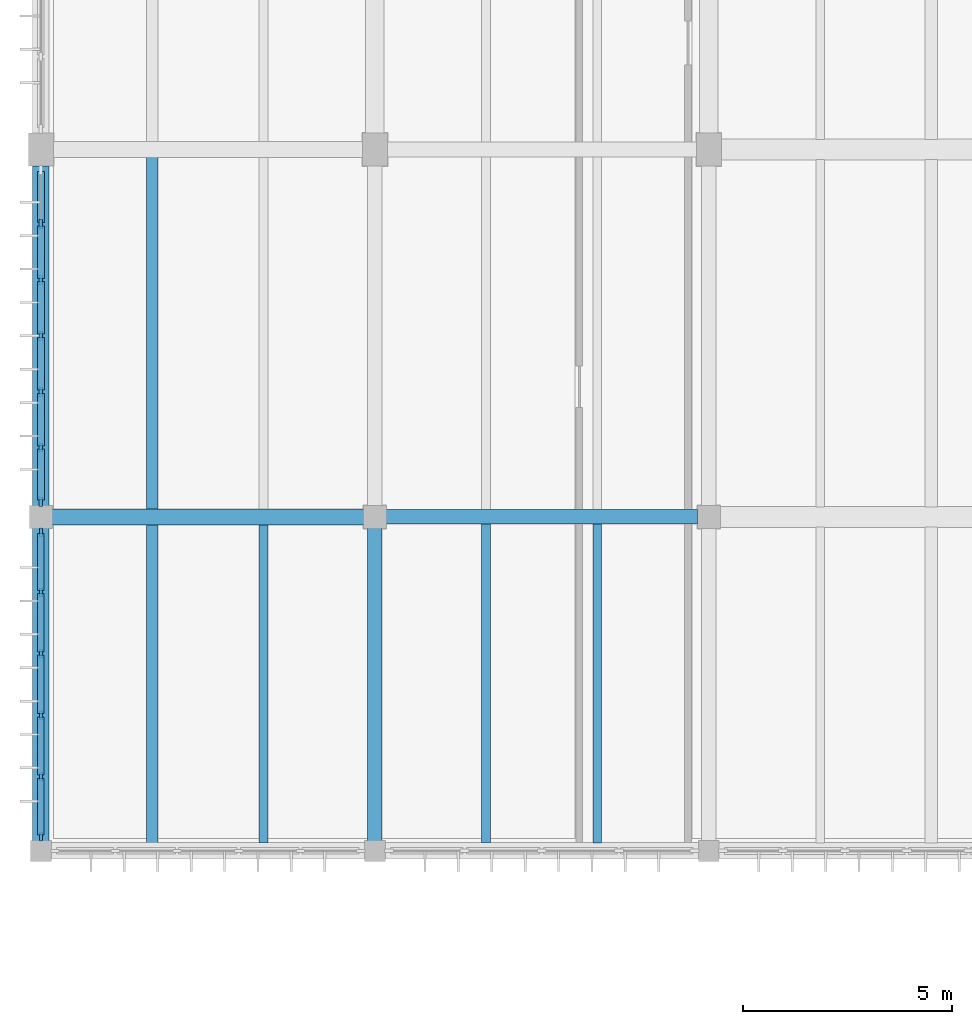
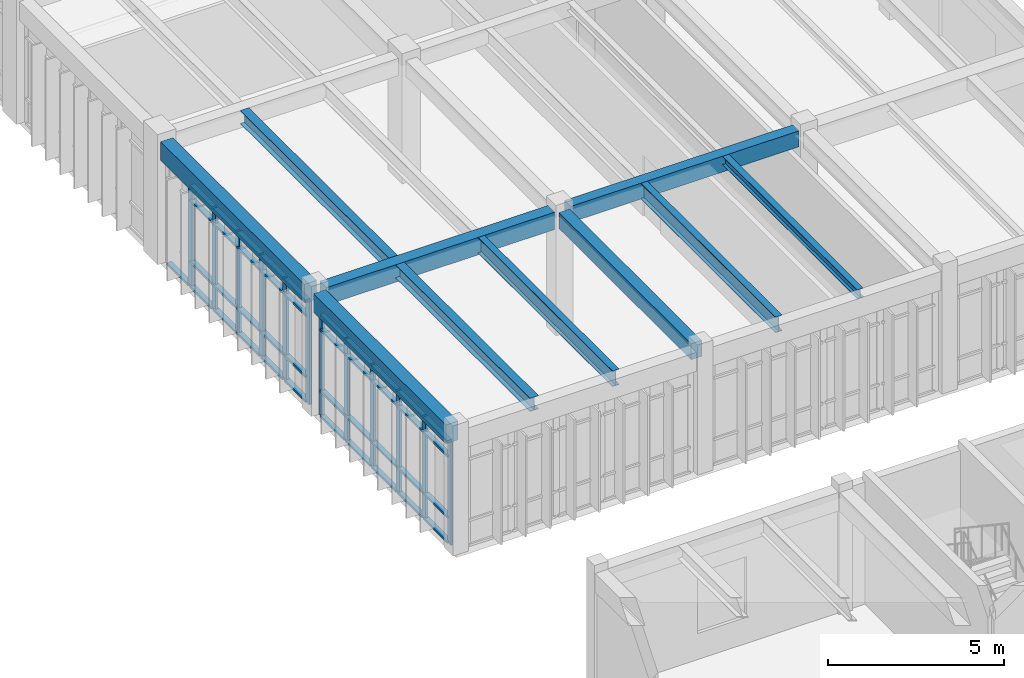
# One storey, part 7 of 79: 53 members, 10 beams, 2 elements without a shape of their own.
"""IFC4 building model written with IfcOpenShell, lengths in metres."""

from ifc_helpers import new_model, si_unit, direction, frame, origin, origin_2d, place, context, subcontext, project, spatial, rectangle, i_section, extrude, material, material_profile, profile_set, type_object, element, aggregate, save


model = new_model("IFC4")

# Units and contexts
model_context = context("Model", 3, precision=1e-05, world=origin(), true_north=direction((0.0, 1.0)))
body_context = subcontext(model_context, "Body", "Model", "MODEL_VIEW")
ifc_project = project(units=[si_unit("LENGTHUNIT", "METRE"), si_unit("AREAUNIT", "SQUARE_METRE"), si_unit("VOLUMEUNIT", "CUBIC_METRE"), si_unit("PLANEANGLEUNIT", "RADIAN"), si_unit("MASSUNIT", "GRAM", prefix="KILO")], contexts=[model_context])

# Site, building, storey
site_placement = place(None, origin())
site = spatial("IfcSite", under=ifc_project, at=site_placement, CompositionType="ELEMENT")
building_placement = place(site_placement, origin())
building = spatial("IfcBuilding", under=site, at=building_placement, Name="Tlaxcora Railside Police Headquarters", CompositionType="ELEMENT")
storey_placement = place(building_placement, frame((0.0, 0.0, 9.0)))
storey = spatial("IfcBuildingStorey", under=building, at=storey_placement, Name="L02", CompositionType="ELEMENT", Elevation=9.0)

# Curtain wall, members
ifc_material_1 = material(Name="Thermally broken low-E insulated glazing", Category="glass")
curtain_wall_type_1 = type_object("IfcCurtainWallType", Name="Unitised Curtain Wall Assembly CW-23", PredefinedType="NOTDEFINED", material=ifc_material_1)
curtain_wall_1_placement = place(storey_placement, origin())
curtain_wall_1 = element("IfcCurtainWall", 1, at=curtain_wall_1_placement, inside=storey, type_object=curtain_wall_type_1, Name="V5 L02 curtain wall 68", PredefinedType="NOTDEFINED")
ifc_material_2 = material(Name="Anodised aluminium framing", Category="aluminium")
ifc_material_profile_1 = material_profile(ifc_material_2, rectangle(XDim=0.080078125, YDim=0.219970703125, at=origin_2d()), Name="AL80X220")
ifc_profile_set_1 = profile_set([ifc_material_profile_1], Name="Anodised aluminium framing")
member_type_1 = type_object("IfcMemberType", Name="Curtain Wall Mullion CW-31", PredefinedType="MULLION", material=ifc_profile_set_1)
member_1_placement = place(storey_placement, frame((5.199951171875, 59.012451171875, 0.0), z_axis=(0.0, 0.0, 1.0), x_axis=(1.0, 0.0, 0.0)))
member_1 = element("IfcMember", 2, at=member_1_placement, type_object=member_type_1, Name="CW mullion 2", PredefinedType="MULLION", context=body_context, shape_type="SweptSolid", body=[
    extrude(rectangle(XDim=0.080078125, YDim=0.219970703125, at=origin_2d()), origin(), (0.0, 0.0, 1.0), 3.550048828125),
])
member_2_placement = place(storey_placement, frame((5.199951171875, 57.675048828125, 0.0), z_axis=(0.0, 0.0, 1.0), x_axis=(1.0, 0.0, 0.0)))
member_2 = element("IfcMember", 3, at=member_2_placement, type_object=member_type_1, Name="CW mullion 3", PredefinedType="MULLION", context=body_context, shape_type="SweptSolid", body=[
    extrude(rectangle(XDim=0.080078125, YDim=0.219970703125, at=origin_2d()), origin(), (0.0, 0.0, 1.0), 3.550048828125),
])
member_3_placement = place(storey_placement, frame((5.199951171875, 56.33740234375, 0.0), z_axis=(0.0, 0.0, 1.0), x_axis=(1.0, 0.0, 0.0)))
member_3 = element("IfcMember", 4, at=member_3_placement, type_object=member_type_1, Name="CW mullion 4", PredefinedType="MULLION", context=body_context, shape_type="SweptSolid", body=[
    extrude(rectangle(XDim=0.080078125, YDim=0.219970703125, at=origin_2d()), origin(), (0.0, 0.0, 1.0), 3.550048828125),
])
member_4_placement = place(storey_placement, frame((5.199951171875, 55.0, 0.0), z_axis=(0.0, 0.0, 1.0), x_axis=(1.0, 0.0, 0.0)))
member_4 = element("IfcMember", 5, at=member_4_placement, type_object=member_type_1, Name="CW mullion 5", PredefinedType="MULLION", context=body_context, shape_type="SweptSolid", body=[
    extrude(rectangle(XDim=0.080078125, YDim=0.219970703125, at=origin_2d()), origin(), (0.0, 0.0, 1.0), 3.550048828125),
])
member_5_placement = place(storey_placement, frame((5.199951171875, 53.66259765625, 0.0), z_axis=(0.0, 0.0, 1.0), x_axis=(1.0, 0.0, 0.0)))
member_5 = element("IfcMember", 6, at=member_5_placement, type_object=member_type_1, Name="CW mullion 6", PredefinedType="MULLION", context=body_context, shape_type="SweptSolid", body=[
    extrude(rectangle(XDim=0.080078125, YDim=0.219970703125, at=origin_2d()), origin(), (0.0, 0.0, 1.0), 3.550048828125),
])
member_6_placement = place(storey_placement, frame((5.199951171875, 52.364990234375, 0.0), z_axis=(0.0, 0.0, 1.0), x_axis=(1.0, 0.0, 0.0)))
member_6 = element("IfcMember", 7, at=member_6_placement, type_object=member_type_1, Name="CW mullion 7", PredefinedType="MULLION", context=body_context, shape_type="SweptSolid", body=[
    extrude(rectangle(XDim=0.080078125, YDim=0.219970703125, at=origin_2d()), origin(), (0.0, 0.0, 1.0), 3.550048828125),
])

curtain_wall_type_2 = type_object("IfcCurtainWallType", Name="Unitised Curtain Wall Assembly CW-38", PredefinedType="NOTDEFINED", material=ifc_material_1)
curtain_wall_2_placement = place(storey_placement, origin())
curtain_wall_2 = element("IfcCurtainWall", 8, at=curtain_wall_2_placement, inside=storey, type_object=curtain_wall_type_2, Name="V5 L02 curtain wall 69", PredefinedType="NOTDEFINED")
ifc_material_profile_2 = material_profile(ifc_material_2, rectangle(XDim=0.074951171875, YDim=0.205078125, at=origin_2d()), Name="AL75X205")
ifc_profile_set_2 = profile_set([ifc_material_profile_2], Name="Anodised aluminium framing")
member_type_2 = type_object("IfcMemberType", Name="Curtain Wall Mullion CW-32", PredefinedType="MULLION", material=ifc_profile_set_2)
member_7_placement = place(storey_placement, frame((5.199951171875, 51.637451171875, 0.0), z_axis=(0.0, 0.0, 1.0), x_axis=(1.0, 0.0, 0.0)))
member_7 = element("IfcMember", 9, at=member_7_placement, type_object=member_type_2, Name="CW mullion 1", PredefinedType="MULLION", context=body_context, shape_type="SweptSolid", body=[
    extrude(rectangle(XDim=0.074951171875, YDim=0.205078125, at=origin_2d()), origin(), (0.0, 0.0, 1.0), 3.550048828125),
])
member_8_placement = place(storey_placement, frame((5.199951171875, 50.199951171875, 0.0), z_axis=(0.0, 0.0, 1.0), x_axis=(1.0, 0.0, 0.0)))
member_8 = element("IfcMember", 10, at=member_8_placement, type_object=member_type_2, Name="CW mullion 2", PredefinedType="MULLION", context=body_context, shape_type="SweptSolid", body=[
    extrude(rectangle(XDim=0.074951171875, YDim=0.205078125, at=origin_2d()), origin(), (0.0, 0.0, 1.0), 3.550048828125),
])
member_9_placement = place(storey_placement, frame((5.199951171875, 48.72509765625, 0.0), z_axis=(0.0, 0.0, 1.0), x_axis=(1.0, 0.0, 0.0)))
member_9 = element("IfcMember", 11, at=member_9_placement, type_object=member_type_2, Name="CW mullion 3", PredefinedType="MULLION", context=body_context, shape_type="SweptSolid", body=[
    extrude(rectangle(XDim=0.074951171875, YDim=0.205078125, at=origin_2d()), origin(), (0.0, 0.0, 1.0), 3.550048828125),
])
member_10_placement = place(storey_placement, frame((5.199951171875, 47.25, 0.0), z_axis=(0.0, 0.0, 1.0), x_axis=(1.0, 0.0, 0.0)))
member_10 = element("IfcMember", 12, at=member_10_placement, type_object=member_type_2, Name="CW mullion 4", PredefinedType="MULLION", context=body_context, shape_type="SweptSolid", body=[
    extrude(rectangle(XDim=0.074951171875, YDim=0.205078125, at=origin_2d()), origin(), (0.0, 0.0, 1.0), 3.550048828125),
])
member_11_placement = place(storey_placement, frame((5.199951171875, 45.77490234375, 0.0), z_axis=(0.0, 0.0, 1.0), x_axis=(1.0, 0.0, 0.0)))
member_11 = element("IfcMember", 13, at=member_11_placement, type_object=member_type_2, Name="CW mullion 5", PredefinedType="MULLION", context=body_context, shape_type="SweptSolid", body=[
    extrude(rectangle(XDim=0.074951171875, YDim=0.205078125, at=origin_2d()), origin(), (0.0, 0.0, 1.0), 3.550048828125),
])
member_12_placement = place(storey_placement, frame((5.199951171875, 44.33740234375, 0.0), z_axis=(0.0, 0.0, 1.0), x_axis=(1.0, 0.0, 0.0)))
member_12 = element("IfcMember", 14, at=member_12_placement, type_object=member_type_2, Name="CW mullion 6", PredefinedType="MULLION", context=body_context, shape_type="SweptSolid", body=[
    extrude(rectangle(XDim=0.074951171875, YDim=0.205078125, at=origin_2d()), origin(), (0.0, 0.0, 1.0), 3.550048828125),
])
ifc_material_profile_3 = material_profile(ifc_material_2, rectangle(XDim=0.155029296875, YDim=0.074951171875, at=origin_2d()), Name="AL75X155")
ifc_profile_set_3 = profile_set([ifc_material_profile_3], Name="Anodised aluminium framing")
member_type_3 = type_object("IfcMemberType", Name="Curtain Wall Transom CW-30", PredefinedType="USERDEFINED", material=ifc_profile_set_3)
member_13_placement = place(storey_placement, frame((5.199951171875, 51.60009765625, 0.03759765625), z_axis=(0.0, -1.0, 0.0), x_axis=(1.0, 0.0, 0.0)))
member_13 = element("IfcMember", 15, at=member_13_placement, type_object=member_type_3, Name="CW transom 1.1", ObjectType="TRANSOM", PredefinedType="USERDEFINED", context=body_context, shape_type="SweptSolid", body=[
    extrude(rectangle(XDim=0.155029296875, YDim=0.074951171875, at=origin_2d()), origin(), (0.0, 0.0, 1.0), 1.362548828125),
])
member_14_placement = place(storey_placement, frame((5.199951171875, 51.60009765625, 0.89990234375), z_axis=(0.0, -1.0, 0.0), x_axis=(1.0, 0.0, 0.0)))
member_14 = element("IfcMember", 16, at=member_14_placement, type_object=member_type_3, Name="CW transom 1.2", ObjectType="TRANSOM", PredefinedType="USERDEFINED", context=body_context, shape_type="SweptSolid", body=[
    extrude(rectangle(XDim=0.155029296875, YDim=0.074951171875, at=origin_2d()), origin(), (0.0, 0.0, 1.0), 1.362548828125),
])
member_15_placement = place(storey_placement, frame((5.199951171875, 51.60009765625, 3.02001953125), z_axis=(0.0, -1.0, 0.0), x_axis=(1.0, 0.0, 0.0)))
member_15 = element("IfcMember", 17, at=member_15_placement, type_object=member_type_3, Name="CW transom 1.3", ObjectType="TRANSOM", PredefinedType="USERDEFINED", context=body_context, shape_type="SweptSolid", body=[
    extrude(rectangle(XDim=0.155029296875, YDim=0.074951171875, at=origin_2d()), origin(), (0.0, 0.0, 1.0), 1.362548828125),
])
member_16_placement = place(storey_placement, frame((5.199951171875, 51.60009765625, 3.512451171875), z_axis=(0.0, -1.0, 0.0), x_axis=(1.0, 0.0, 0.0)))
member_16 = element("IfcMember", 18, at=member_16_placement, type_object=member_type_3, Name="CW transom 1.4", ObjectType="TRANSOM", PredefinedType="USERDEFINED", context=body_context, shape_type="SweptSolid", body=[
    extrude(rectangle(XDim=0.155029296875, YDim=0.074951171875, at=origin_2d()), origin(), (0.0, 0.0, 1.0), 1.362548828125),
])
member_17_placement = place(storey_placement, frame((5.199951171875, 50.16259765625, 0.03759765625), z_axis=(0.0, -1.0, 0.0), x_axis=(1.0, 0.0, 0.0)))
member_17 = element("IfcMember", 19, at=member_17_placement, type_object=member_type_3, Name="CW transom 2.1", ObjectType="TRANSOM", PredefinedType="USERDEFINED", context=body_context, shape_type="SweptSolid", body=[
    extrude(rectangle(XDim=0.155029296875, YDim=0.074951171875, at=origin_2d()), origin(), (0.0, 0.0, 1.0), 1.400146484375),
])
member_18_placement = place(storey_placement, frame((5.199951171875, 50.16259765625, 0.89990234375), z_axis=(0.0, -1.0, 0.0), x_axis=(1.0, 0.0, 0.0)))
member_18 = element("IfcMember", 20, at=member_18_placement, type_object=member_type_3, Name="CW transom 2.2", ObjectType="TRANSOM", PredefinedType="USERDEFINED", context=body_context, shape_type="SweptSolid", body=[
    extrude(rectangle(XDim=0.155029296875, YDim=0.074951171875, at=origin_2d()), origin(), (0.0, 0.0, 1.0), 1.400146484375),
])
member_19_placement = place(storey_placement, frame((5.199951171875, 50.16259765625, 3.02001953125), z_axis=(0.0, -1.0, 0.0), x_axis=(1.0, 0.0, 0.0)))
member_19 = element("IfcMember", 21, at=member_19_placement, type_object=member_type_3, Name="CW transom 2.3", ObjectType="TRANSOM", PredefinedType="USERDEFINED", context=body_context, shape_type="SweptSolid", body=[
    extrude(rectangle(XDim=0.155029296875, YDim=0.074951171875, at=origin_2d()), origin(), (0.0, 0.0, 1.0), 1.400146484375),
])
member_20_placement = place(storey_placement, frame((5.199951171875, 50.16259765625, 3.512451171875), z_axis=(0.0, -1.0, 0.0), x_axis=(1.0, 0.0, 0.0)))
member_20 = element("IfcMember", 22, at=member_20_placement, type_object=member_type_3, Name="CW transom 2.4", ObjectType="TRANSOM", PredefinedType="USERDEFINED", context=body_context, shape_type="SweptSolid", body=[
    extrude(rectangle(XDim=0.155029296875, YDim=0.074951171875, at=origin_2d()), origin(), (0.0, 0.0, 1.0), 1.400146484375),
])
member_21_placement = place(storey_placement, frame((5.199951171875, 48.6875, 0.03759765625), z_axis=(0.0, -1.0, 0.0), x_axis=(1.0, 0.0, 0.0)))
member_21 = element("IfcMember", 23, at=member_21_placement, type_object=member_type_3, Name="CW transom 3.1", ObjectType="TRANSOM", PredefinedType="USERDEFINED", context=body_context, shape_type="SweptSolid", body=[
    extrude(rectangle(XDim=0.155029296875, YDim=0.074951171875, at=origin_2d()), origin(), (0.0, 0.0, 1.0), 1.39990234375),
])
member_22_placement = place(storey_placement, frame((5.199951171875, 48.6875, 0.89990234375), z_axis=(0.0, -1.0, 0.0), x_axis=(1.0, 0.0, 0.0)))
member_22 = element("IfcMember", 24, at=member_22_placement, type_object=member_type_3, Name="CW transom 3.2", ObjectType="TRANSOM", PredefinedType="USERDEFINED", context=body_context, shape_type="SweptSolid", body=[
    extrude(rectangle(XDim=0.155029296875, YDim=0.074951171875, at=origin_2d()), origin(), (0.0, 0.0, 1.0), 1.39990234375),
])
member_23_placement = place(storey_placement, frame((5.199951171875, 48.6875, 3.02001953125), z_axis=(0.0, -1.0, 0.0), x_axis=(1.0, 0.0, 0.0)))
member_23 = element("IfcMember", 25, at=member_23_placement, type_object=member_type_3, Name="CW transom 3.3", ObjectType="TRANSOM", PredefinedType="USERDEFINED", context=body_context, shape_type="SweptSolid", body=[
    extrude(rectangle(XDim=0.155029296875, YDim=0.074951171875, at=origin_2d()), origin(), (0.0, 0.0, 1.0), 1.39990234375),
])
member_24_placement = place(storey_placement, frame((5.199951171875, 48.6875, 3.512451171875), z_axis=(0.0, -1.0, 0.0), x_axis=(1.0, 0.0, 0.0)))
member_24 = element("IfcMember", 26, at=member_24_placement, type_object=member_type_3, Name="CW transom 3.4", ObjectType="TRANSOM", PredefinedType="USERDEFINED", context=body_context, shape_type="SweptSolid", body=[
    extrude(rectangle(XDim=0.155029296875, YDim=0.074951171875, at=origin_2d()), origin(), (0.0, 0.0, 1.0), 1.39990234375),
])
member_25_placement = place(storey_placement, frame((5.199951171875, 47.21240234375, 0.03759765625), z_axis=(0.0, -1.0, 0.0), x_axis=(1.0, 0.0, 0.0)))
member_25 = element("IfcMember", 27, at=member_25_placement, type_object=member_type_3, Name="CW transom 4.1", ObjectType="TRANSOM", PredefinedType="USERDEFINED", context=body_context, shape_type="SweptSolid", body=[
    extrude(rectangle(XDim=0.155029296875, YDim=0.074951171875, at=origin_2d()), origin(), (0.0, 0.0, 1.0), 1.39990234375),
])
member_26_placement = place(storey_placement, frame((5.199951171875, 47.21240234375, 0.89990234375), z_axis=(0.0, -1.0, 0.0), x_axis=(1.0, 0.0, 0.0)))
member_26 = element("IfcMember", 28, at=member_26_placement, type_object=member_type_3, Name="CW transom 4.2", ObjectType="TRANSOM", PredefinedType="USERDEFINED", context=body_context, shape_type="SweptSolid", body=[
    extrude(rectangle(XDim=0.155029296875, YDim=0.074951171875, at=origin_2d()), origin(), (0.0, 0.0, 1.0), 1.39990234375),
])
member_27_placement = place(storey_placement, frame((5.199951171875, 47.21240234375, 3.02001953125), z_axis=(0.0, -1.0, 0.0), x_axis=(1.0, 0.0, 0.0)))
member_27 = element("IfcMember", 29, at=member_27_placement, type_object=member_type_3, Name="CW transom 4.3", ObjectType="TRANSOM", PredefinedType="USERDEFINED", context=body_context, shape_type="SweptSolid", body=[
    extrude(rectangle(XDim=0.155029296875, YDim=0.074951171875, at=origin_2d()), origin(), (0.0, 0.0, 1.0), 1.39990234375),
])
member_28_placement = place(storey_placement, frame((5.199951171875, 47.21240234375, 3.512451171875), z_axis=(0.0, -1.0, 0.0), x_axis=(1.0, 0.0, 0.0)))
member_28 = element("IfcMember", 30, at=member_28_placement, type_object=member_type_3, Name="CW transom 4.4", ObjectType="TRANSOM", PredefinedType="USERDEFINED", context=body_context, shape_type="SweptSolid", body=[
    extrude(rectangle(XDim=0.155029296875, YDim=0.074951171875, at=origin_2d()), origin(), (0.0, 0.0, 1.0), 1.39990234375),
])
member_29_placement = place(storey_placement, frame((5.199951171875, 45.737548828125, 0.03759765625), z_axis=(0.0, -1.0, 0.0), x_axis=(1.0, 0.0, 0.0)))
member_29 = element("IfcMember", 31, at=member_29_placement, type_object=member_type_3, Name="CW transom 5.1", ObjectType="TRANSOM", PredefinedType="USERDEFINED", context=body_context, shape_type="SweptSolid", body=[
    extrude(rectangle(XDim=0.155029296875, YDim=0.074951171875, at=origin_2d()), origin(), (0.0, 0.0, 1.0), 1.362548828125),
])
member_30_placement = place(storey_placement, frame((5.199951171875, 45.737548828125, 0.89990234375), z_axis=(0.0, -1.0, 0.0), x_axis=(1.0, 0.0, 0.0)))
member_30 = element("IfcMember", 32, at=member_30_placement, type_object=member_type_3, Name="CW transom 5.2", ObjectType="TRANSOM", PredefinedType="USERDEFINED", context=body_context, shape_type="SweptSolid", body=[
    extrude(rectangle(XDim=0.155029296875, YDim=0.074951171875, at=origin_2d()), origin(), (0.0, 0.0, 1.0), 1.362548828125),
])
member_31_placement = place(storey_placement, frame((5.199951171875, 45.737548828125, 3.02001953125), z_axis=(0.0, -1.0, 0.0), x_axis=(1.0, 0.0, 0.0)))
member_31 = element("IfcMember", 33, at=member_31_placement, type_object=member_type_3, Name="CW transom 5.3", ObjectType="TRANSOM", PredefinedType="USERDEFINED", context=body_context, shape_type="SweptSolid", body=[
    extrude(rectangle(XDim=0.155029296875, YDim=0.074951171875, at=origin_2d()), origin(), (0.0, 0.0, 1.0), 1.362548828125),
])
member_32_placement = place(storey_placement, frame((5.199951171875, 45.737548828125, 3.512451171875), z_axis=(0.0, -1.0, 0.0), x_axis=(1.0, 0.0, 0.0)))
member_32 = element("IfcMember", 34, at=member_32_placement, type_object=member_type_3, Name="CW transom 5.4", ObjectType="TRANSOM", PredefinedType="USERDEFINED", context=body_context, shape_type="SweptSolid", body=[
    extrude(rectangle(XDim=0.155029296875, YDim=0.074951171875, at=origin_2d()), origin(), (0.0, 0.0, 1.0), 1.362548828125),
])
aggregate(curtain_wall_2, [member_7, member_8, member_9, member_10, member_11, member_12, member_13, member_14, member_15, member_16, member_17, member_18, member_19, member_20, member_21, member_22, member_23, member_24, member_25, member_26, member_27, member_28, member_29, member_30, member_31, member_32])

# Member
ifc_material_profile_4 = material_profile(ifc_material_2, rectangle(XDim=0.1650390625, YDim=0.080078125, at=origin_2d()), Name="AL80X165")
ifc_profile_set_4 = profile_set([ifc_material_profile_4], Name="Anodised aluminium framing")
member_type_4 = type_object("IfcMemberType", Name="Curtain Wall Transom CW-62", PredefinedType="USERDEFINED", material=ifc_profile_set_4)
member_33_placement = place(storey_placement, frame((5.199951171875, 60.27001953125, 0.0400390625), z_axis=(0.0, -1.0, 0.0), x_axis=(1.0, 0.0, 0.0)))
member_33 = element("IfcMember", 35, at=member_33_placement, type_object=member_type_4, Name="CW transom 1.1", ObjectType="TRANSOM", PredefinedType="USERDEFINED", context=body_context, shape_type="SweptSolid", body=[
    extrude(rectangle(XDim=0.1650390625, YDim=0.080078125, at=origin_2d()), origin(), (0.0, 0.0, 1.0), 1.217529296875),
])

member_34_placement = place(storey_placement, frame((5.199951171875, 58.972412109375, 0.0400390625), z_axis=(0.0, -1.0, 0.0), x_axis=(1.0, 0.0, 0.0)))
member_34 = element("IfcMember", 36, at=member_34_placement, type_object=member_type_4, Name="CW transom 2.1", ObjectType="TRANSOM", PredefinedType="USERDEFINED", context=body_context, shape_type="SweptSolid", body=[
    extrude(rectangle(XDim=0.1650390625, YDim=0.080078125, at=origin_2d()), origin(), (0.0, 0.0, 1.0), 1.25732421875),
])

member_35_placement = place(storey_placement, frame((5.199951171875, 58.972412109375, 0.89990234375), z_axis=(0.0, -1.0, 0.0), x_axis=(1.0, 0.0, 0.0)))
member_35 = element("IfcMember", 37, at=member_35_placement, type_object=member_type_4, Name="CW transom 2.2", ObjectType="TRANSOM", PredefinedType="USERDEFINED", context=body_context, shape_type="SweptSolid", body=[
    extrude(rectangle(XDim=0.1650390625, YDim=0.080078125, at=origin_2d()), origin(), (0.0, 0.0, 1.0), 1.25732421875),
])

member_36_placement = place(storey_placement, frame((5.199951171875, 58.972412109375, 3.02001953125), z_axis=(0.0, -1.0, 0.0), x_axis=(1.0, 0.0, 0.0)))
member_36 = element("IfcMember", 38, at=member_36_placement, type_object=member_type_4, Name="CW transom 2.3", ObjectType="TRANSOM", PredefinedType="USERDEFINED", context=body_context, shape_type="SweptSolid", body=[
    extrude(rectangle(XDim=0.1650390625, YDim=0.080078125, at=origin_2d()), origin(), (0.0, 0.0, 1.0), 1.25732421875),
])

member_37_placement = place(storey_placement, frame((5.199951171875, 58.972412109375, 3.510009765625), z_axis=(0.0, -1.0, 0.0), x_axis=(1.0, 0.0, 0.0)))
member_37 = element("IfcMember", 39, at=member_37_placement, type_object=member_type_4, Name="CW transom 2.4", ObjectType="TRANSOM", PredefinedType="USERDEFINED", context=body_context, shape_type="SweptSolid", body=[
    extrude(rectangle(XDim=0.1650390625, YDim=0.080078125, at=origin_2d()), origin(), (0.0, 0.0, 1.0), 1.25732421875),
])

member_38_placement = place(storey_placement, frame((5.199951171875, 57.635009765625, 0.0400390625), z_axis=(0.0, -1.0, 0.0), x_axis=(1.0, 0.0, 0.0)))
member_38 = element("IfcMember", 40, at=member_38_placement, type_object=member_type_4, Name="CW transom 3.1", ObjectType="TRANSOM", PredefinedType="USERDEFINED", context=body_context, shape_type="SweptSolid", body=[
    extrude(rectangle(XDim=0.1650390625, YDim=0.080078125, at=origin_2d()), origin(), (0.0, 0.0, 1.0), 1.257568359375),
])

member_39_placement = place(storey_placement, frame((5.199951171875, 57.635009765625, 0.89990234375), z_axis=(0.0, -1.0, 0.0), x_axis=(1.0, 0.0, 0.0)))
member_39 = element("IfcMember", 41, at=member_39_placement, type_object=member_type_4, Name="CW transom 3.2", ObjectType="TRANSOM", PredefinedType="USERDEFINED", context=body_context, shape_type="SweptSolid", body=[
    extrude(rectangle(XDim=0.1650390625, YDim=0.080078125, at=origin_2d()), origin(), (0.0, 0.0, 1.0), 1.257568359375),
])

member_40_placement = place(storey_placement, frame((5.199951171875, 57.635009765625, 3.02001953125), z_axis=(0.0, -1.0, 0.0), x_axis=(1.0, 0.0, 0.0)))
member_40 = element("IfcMember", 42, at=member_40_placement, type_object=member_type_4, Name="CW transom 3.3", ObjectType="TRANSOM", PredefinedType="USERDEFINED", context=body_context, shape_type="SweptSolid", body=[
    extrude(rectangle(XDim=0.1650390625, YDim=0.080078125, at=origin_2d()), origin(), (0.0, 0.0, 1.0), 1.257568359375),
])

member_41_placement = place(storey_placement, frame((5.199951171875, 57.635009765625, 3.510009765625), z_axis=(0.0, -1.0, 0.0), x_axis=(1.0, 0.0, 0.0)))
member_41 = element("IfcMember", 43, at=member_41_placement, type_object=member_type_4, Name="CW transom 3.4", ObjectType="TRANSOM", PredefinedType="USERDEFINED", context=body_context, shape_type="SweptSolid", body=[
    extrude(rectangle(XDim=0.1650390625, YDim=0.080078125, at=origin_2d()), origin(), (0.0, 0.0, 1.0), 1.257568359375),
])

member_42_placement = place(storey_placement, frame((5.199951171875, 56.297607421875, 0.0400390625), z_axis=(0.0, -1.0, 0.0), x_axis=(1.0, 0.0, 0.0)))
member_42 = element("IfcMember", 44, at=member_42_placement, type_object=member_type_4, Name="CW transom 4.1", ObjectType="TRANSOM", PredefinedType="USERDEFINED", context=body_context, shape_type="SweptSolid", body=[
    extrude(rectangle(XDim=0.1650390625, YDim=0.080078125, at=origin_2d()), origin(), (0.0, 0.0, 1.0), 1.257568359375),
])

member_43_placement = place(storey_placement, frame((5.199951171875, 56.297607421875, 0.89990234375), z_axis=(0.0, -1.0, 0.0), x_axis=(1.0, 0.0, 0.0)))
member_43 = element("IfcMember", 45, at=member_43_placement, type_object=member_type_4, Name="CW transom 4.2", ObjectType="TRANSOM", PredefinedType="USERDEFINED", context=body_context, shape_type="SweptSolid", body=[
    extrude(rectangle(XDim=0.1650390625, YDim=0.080078125, at=origin_2d()), origin(), (0.0, 0.0, 1.0), 1.257568359375),
])

member_44_placement = place(storey_placement, frame((5.199951171875, 56.297607421875, 3.02001953125), z_axis=(0.0, -1.0, 0.0), x_axis=(1.0, 0.0, 0.0)))
member_44 = element("IfcMember", 46, at=member_44_placement, type_object=member_type_4, Name="CW transom 4.3", ObjectType="TRANSOM", PredefinedType="USERDEFINED", context=body_context, shape_type="SweptSolid", body=[
    extrude(rectangle(XDim=0.1650390625, YDim=0.080078125, at=origin_2d()), origin(), (0.0, 0.0, 1.0), 1.257568359375),
])

member_45_placement = place(storey_placement, frame((5.199951171875, 56.297607421875, 3.510009765625), z_axis=(0.0, -1.0, 0.0), x_axis=(1.0, 0.0, 0.0)))
member_45 = element("IfcMember", 47, at=member_45_placement, type_object=member_type_4, Name="CW transom 4.4", ObjectType="TRANSOM", PredefinedType="USERDEFINED", context=body_context, shape_type="SweptSolid", body=[
    extrude(rectangle(XDim=0.1650390625, YDim=0.080078125, at=origin_2d()), origin(), (0.0, 0.0, 1.0), 1.257568359375),
])

member_46_placement = place(storey_placement, frame((5.199951171875, 54.9599609375, 0.0400390625), z_axis=(0.0, -1.0, 0.0), x_axis=(1.0, 0.0, 0.0)))
member_46 = element("IfcMember", 48, at=member_46_placement, type_object=member_type_4, Name="CW transom 5.1", ObjectType="TRANSOM", PredefinedType="USERDEFINED", context=body_context, shape_type="SweptSolid", body=[
    extrude(rectangle(XDim=0.1650390625, YDim=0.080078125, at=origin_2d()), origin(), (0.0, 0.0, 1.0), 1.257568359375),
])

member_47_placement = place(storey_placement, frame((5.199951171875, 54.9599609375, 0.89990234375), z_axis=(0.0, -1.0, 0.0), x_axis=(1.0, 0.0, 0.0)))
member_47 = element("IfcMember", 49, at=member_47_placement, type_object=member_type_4, Name="CW transom 5.2", ObjectType="TRANSOM", PredefinedType="USERDEFINED", context=body_context, shape_type="SweptSolid", body=[
    extrude(rectangle(XDim=0.1650390625, YDim=0.080078125, at=origin_2d()), origin(), (0.0, 0.0, 1.0), 1.257568359375),
])

member_48_placement = place(storey_placement, frame((5.199951171875, 54.9599609375, 3.02001953125), z_axis=(0.0, -1.0, 0.0), x_axis=(1.0, 0.0, 0.0)))
member_48 = element("IfcMember", 50, at=member_48_placement, type_object=member_type_4, Name="CW transom 5.3", ObjectType="TRANSOM", PredefinedType="USERDEFINED", context=body_context, shape_type="SweptSolid", body=[
    extrude(rectangle(XDim=0.1650390625, YDim=0.080078125, at=origin_2d()), origin(), (0.0, 0.0, 1.0), 1.257568359375),
])

member_49_placement = place(storey_placement, frame((5.199951171875, 54.9599609375, 3.510009765625), z_axis=(0.0, -1.0, 0.0), x_axis=(1.0, 0.0, 0.0)))
member_49 = element("IfcMember", 51, at=member_49_placement, type_object=member_type_4, Name="CW transom 5.4", ObjectType="TRANSOM", PredefinedType="USERDEFINED", context=body_context, shape_type="SweptSolid", body=[
    extrude(rectangle(XDim=0.1650390625, YDim=0.080078125, at=origin_2d()), origin(), (0.0, 0.0, 1.0), 1.257568359375),
])

member_50_placement = place(storey_placement, frame((5.199951171875, 53.62255859375, 0.0400390625), z_axis=(0.0, -1.0, 0.0), x_axis=(1.0, 0.0, 0.0)))
member_50 = element("IfcMember", 52, at=member_50_placement, type_object=member_type_4, Name="CW transom 6.1", ObjectType="TRANSOM", PredefinedType="USERDEFINED", context=body_context, shape_type="SweptSolid", body=[
    extrude(rectangle(XDim=0.1650390625, YDim=0.080078125, at=origin_2d()), origin(), (0.0, 0.0, 1.0), 1.217529296875),
])

member_51_placement = place(storey_placement, frame((5.199951171875, 53.62255859375, 0.89990234375), z_axis=(0.0, -1.0, 0.0), x_axis=(1.0, 0.0, 0.0)))
member_51 = element("IfcMember", 53, at=member_51_placement, type_object=member_type_4, Name="CW transom 6.2", ObjectType="TRANSOM", PredefinedType="USERDEFINED", context=body_context, shape_type="SweptSolid", body=[
    extrude(rectangle(XDim=0.1650390625, YDim=0.080078125, at=origin_2d()), origin(), (0.0, 0.0, 1.0), 1.217529296875),
])

member_52_placement = place(storey_placement, frame((5.199951171875, 53.62255859375, 3.02001953125), z_axis=(0.0, -1.0, 0.0), x_axis=(1.0, 0.0, 0.0)))
member_52 = element("IfcMember", 54, at=member_52_placement, type_object=member_type_4, Name="CW transom 6.3", ObjectType="TRANSOM", PredefinedType="USERDEFINED", context=body_context, shape_type="SweptSolid", body=[
    extrude(rectangle(XDim=0.1650390625, YDim=0.080078125, at=origin_2d()), origin(), (0.0, 0.0, 1.0), 1.217529296875),
])

member_53_placement = place(storey_placement, frame((5.199951171875, 53.62255859375, 3.510009765625), z_axis=(0.0, -1.0, 0.0), x_axis=(1.0, 0.0, 0.0)))
member_53 = element("IfcMember", 55, at=member_53_placement, type_object=member_type_4, Name="CW transom 6.4", ObjectType="TRANSOM", PredefinedType="USERDEFINED", context=body_context, shape_type="SweptSolid", body=[
    extrude(rectangle(XDim=0.1650390625, YDim=0.080078125, at=origin_2d()), origin(), (0.0, 0.0, 1.0), 1.217529296875),
])

aggregate(curtain_wall_1, [member_1, member_2, member_3, member_4, member_5, member_6, member_33, member_34, member_35, member_36, member_37, member_38, member_39, member_40, member_41, member_42, member_43, member_44, member_45, member_46, member_47, member_48, member_49, member_50, member_51, member_52, member_53])

# Beams
ifc_material_3 = material(Name="Concrete C40/50", Category="concrete")
ifc_material_profile_5 = material_profile(ifc_material_3, rectangle(XDim=0.39990234375, YDim=0.64990234375, at=origin_2d()), Name="RC400X650")
ifc_profile_set_5 = profile_set([ifc_material_profile_5], Name="Concrete C40/50")
beam_type_1 = type_object("IfcBeamType", Name="Perimeter Spandrel Beam BM-46", PredefinedType="SPANDREL", material=ifc_profile_set_5)
beam_1_placement = place(storey_placement, frame((5.199951171875, 44.239990234375, 3.89501953125), z_axis=(0.0, 1.0, 0.0), x_axis=(-1.0, 0.0, 0.0)))
element("IfcBeam", 56, at=beam_1_placement, inside=storey, type_object=beam_type_1, Name="V5 L02 Y-girder X=5.2", PredefinedType="SPANDREL", context=body_context, shape_type="SweptSolid", body=[
    extrude(rectangle(XDim=0.39990234375, YDim=0.64990234375, at=origin_2d()), origin(), (0.0, 0.0, 1.0), 7.4951171875),
])
beam_2_placement = place(storey_placement, frame((5.199951171875, 52.264892578125, 3.89501953125), z_axis=(0.0, 1.0, 0.0), x_axis=(-1.0, 0.0, 0.0)))
element("IfcBeam", 57, at=beam_2_placement, inside=storey, type_object=beam_type_1, Name="V5 L02 Y-girder X=5.2", PredefinedType="SPANDREL", context=body_context, shape_type="SweptSolid", body=[
    extrude(rectangle(XDim=0.39990234375, YDim=0.64990234375, at=origin_2d()), origin(), (0.0, 0.0, 1.0), 8.14501953125),
])
ifc_material_profile_6 = material_profile(ifc_material_3, rectangle(XDim=0.3798828125, YDim=0.60009765625, at=origin_2d()), Name="RC380X600")
ifc_profile_set_6 = profile_set([ifc_material_profile_6], Name="Concrete C40/50")
beam_type_2 = type_object("IfcBeamType", Name="Primary Frame Girder BM-22", PredefinedType="BEAM", material=ifc_profile_set_6)
beam_3_placement = place(storey_placement, frame((5.465087890625, 52.0, 3.919921875), z_axis=(1.0, 0.0, 0.0), x_axis=(0.0, 1.0, 0.0)))
element("IfcBeam", 58, at=beam_3_placement, inside=storey, type_object=beam_type_2, Name="V5 L02 X-girder Y=52.0", PredefinedType="BEAM", context=body_context, shape_type="SweptSolid", body=[
    extrude(rectangle(XDim=0.3798828125, YDim=0.60009765625, at=origin_2d()), origin(), (0.0, 0.0, 1.0), 7.469970703125),
])
ifc_material_profile_7 = material_profile(ifc_material_3, rectangle(XDim=0.35009765625, YDim=0.550048828125, at=origin_2d()), Name="RC350X550")
ifc_profile_set_7 = profile_set([ifc_material_profile_7], Name="Concrete C40/50")
beam_type_3 = type_object("IfcBeamType", Name="Primary Frame Girder BM-39", PredefinedType="BEAM", material=ifc_profile_set_7)
beam_4_placement = place(storey_placement, frame((13.465087890625, 52.0, 3.945068359375), z_axis=(1.0, 0.0, 0.0), x_axis=(0.0, 1.0, 0.0)))
element("IfcBeam", 59, at=beam_4_placement, inside=storey, type_object=beam_type_3, Name="V5 L02 X-girder Y=52.0", PredefinedType="BEAM", context=body_context, shape_type="SweptSolid", body=[
    extrude(rectangle(XDim=0.35009765625, YDim=0.550048828125, at=origin_2d()), origin(), (0.0, 0.0, 1.0), 7.469970703125),
])
beam_5_placement = place(storey_placement, frame((13.199951171875, 44.239990234375, 3.945068359375), z_axis=(0.0, 1.0, 0.0), x_axis=(-1.0, 0.0, 0.0)))
element("IfcBeam", 60, at=beam_5_placement, inside=storey, type_object=beam_type_3, Name="V5 L02 Y-girder X=13.2", PredefinedType="BEAM", context=body_context, shape_type="SweptSolid", body=[
    extrude(rectangle(XDim=0.35009765625, YDim=0.550048828125, at=origin_2d()), origin(), (0.0, 0.0, 1.0), 7.4951171875),
])
ifc_material_4 = material(Name="Steel ASTM A992 Grade 50", Category="steel")
ifc_material_profile_8 = material_profile(ifc_material_4, i_section(OverallWidth=0.280029296875, OverallDepth=0.4619140625, WebThickness=0.0107421875, FlangeThickness=0.017333984375, at=origin_2d()), Name="W18X76")
ifc_profile_set_8 = profile_set([ifc_material_profile_8], Name="Steel ASTM A992 Grade 50")
beam_type_4 = type_object("IfcBeamType", Name="Secondary Floor Joist BM-44", PredefinedType="JOIST", material=ifc_profile_set_8)
beam_6_placement = place(storey_placement, frame((7.86669921875, 44.19189453125, 3.989013671875), z_axis=(0.0, 1.0, 0.0), x_axis=(-1.0, 0.0, 0.0)))
element("IfcBeam", 61, at=beam_6_placement, inside=storey, type_object=beam_type_4, Name="V5 L02 floor joist X=7.87", PredefinedType="JOIST", context=body_context, shape_type="SweptSolid", body=[
    extrude(i_section(OverallWidth=0.280029296875, OverallDepth=0.4619140625, WebThickness=0.0107421875, FlangeThickness=0.017333984375, at=origin_2d()), origin(), (0.0, 0.0, 1.0), 7.626220703125),
])
beam_7_placement = place(storey_placement, frame((7.86669921875, 52.181884765625, 3.989013671875), z_axis=(0.0, 1.0, 0.0), x_axis=(-1.0, 0.0, 0.0)))
element("IfcBeam", 62, at=beam_7_placement, inside=storey, type_object=beam_type_4, Name="V5 L02 floor joist X=7.87", PredefinedType="JOIST", context=body_context, shape_type="SweptSolid", body=[
    extrude(i_section(OverallWidth=0.280029296875, OverallDepth=0.4619140625, WebThickness=0.0107421875, FlangeThickness=0.017333984375, at=origin_2d()), origin(), (0.0, 0.0, 1.0), 8.43603515625),
])
ifc_material_profile_9 = material_profile(ifc_material_4, i_section(OverallWidth=0.202880859375, OverallDepth=0.302978515625, WebThickness=0.007568359375, FlangeThickness=0.01318359375, at=origin_2d()), Name="W12X40")
ifc_profile_set_9 = profile_set([ifc_material_profile_9], Name="Steel ASTM A992 Grade 50")
beam_type_5 = type_object("IfcBeamType", Name="Secondary Floor Joist BM-96", PredefinedType="JOIST", material=ifc_profile_set_9)
beam_8_placement = place(storey_placement, frame((18.533203125, 44.19189453125, 4.068603515625), z_axis=(0.0, 1.0, 0.0), x_axis=(-1.0, 0.0, 0.0)))
element("IfcBeam", 63, at=beam_8_placement, inside=storey, type_object=beam_type_5, Name="V5 L02 floor joist X=18.53", PredefinedType="JOIST", context=body_context, shape_type="SweptSolid", body=[
    extrude(i_section(OverallWidth=0.202880859375, OverallDepth=0.302978515625, WebThickness=0.007568359375, FlangeThickness=0.01318359375, at=origin_2d()), origin(), (0.0, 0.0, 1.0), 7.64111328125),
])
ifc_material_profile_10 = material_profile(ifc_material_4, i_section(OverallWidth=0.214111328125, OverallDepth=0.549072265625, WebThickness=0.0146484375, FlangeThickness=0.023681640625, at=origin_2d()), Name="W21X93")
ifc_profile_set_10 = profile_set([ifc_material_profile_10], Name="Steel ASTM A992 Grade 50")
beam_type_6 = type_object("IfcBeamType", Name="Secondary Floor Joist BM-97", PredefinedType="JOIST", material=ifc_profile_set_10)
beam_9_placement = place(storey_placement, frame((10.533203125, 44.19189453125, 3.945556640625), z_axis=(0.0, 1.0, 0.0), x_axis=(-1.0, 0.0, 0.0)))
element("IfcBeam", 64, at=beam_9_placement, inside=storey, type_object=beam_type_6, Name="V5 L02 floor joist X=10.53", PredefinedType="JOIST", context=body_context, shape_type="SweptSolid", body=[
    extrude(i_section(OverallWidth=0.214111328125, OverallDepth=0.549072265625, WebThickness=0.0146484375, FlangeThickness=0.023681640625, at=origin_2d()), origin(), (0.0, 0.0, 1.0), 7.626220703125),
])
beam_10_placement = place(storey_placement, frame((15.86669921875, 44.19189453125, 3.945556640625), z_axis=(0.0, 1.0, 0.0), x_axis=(-1.0, 0.0, 0.0)))
element("IfcBeam", 65, at=beam_10_placement, inside=storey, type_object=beam_type_6, Name="V5 L02 floor joist X=15.87", PredefinedType="JOIST", context=body_context, shape_type="SweptSolid", body=[
    extrude(i_section(OverallWidth=0.214111328125, OverallDepth=0.549072265625, WebThickness=0.0146484375, FlangeThickness=0.023681640625, at=origin_2d()), origin(), (0.0, 0.0, 1.0), 7.64111328125),
])

save(model, "model.ifc")
